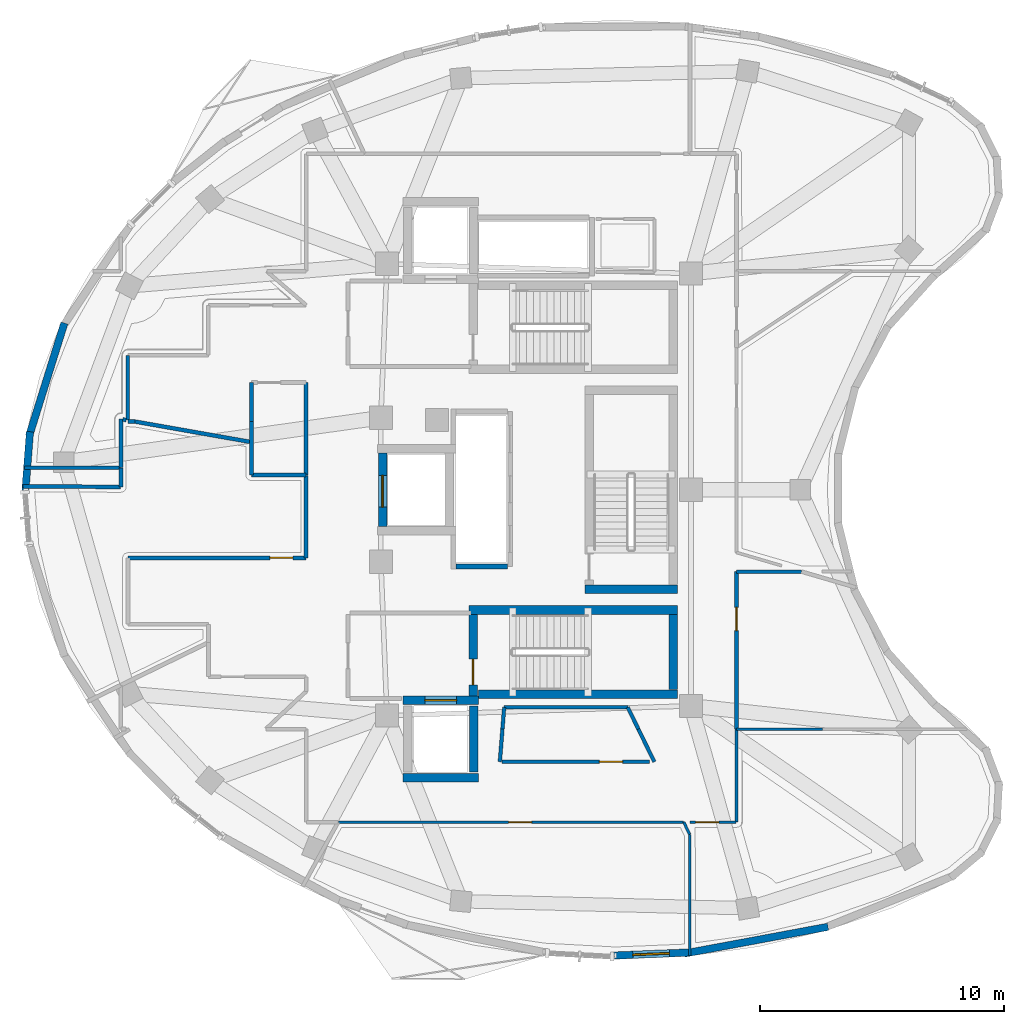
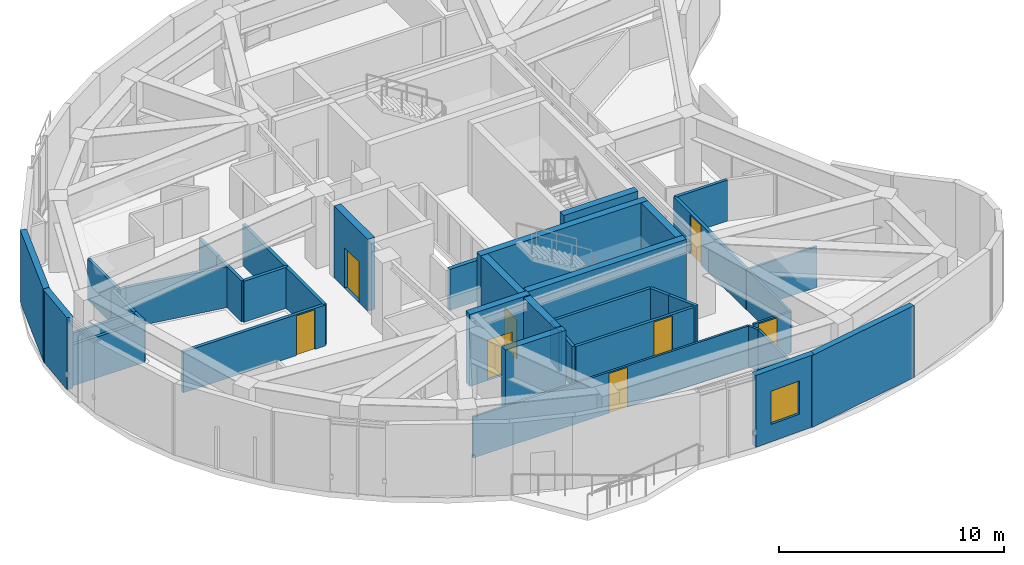
# One storey, part 6 of 12: 42 walls, 8 doors, 1 window, 9 openings.
"""IFC4 building model written with IfcOpenShell, lengths in metres."""

from ifc_helpers import new_model, si_unit, direction, frame, frame_2d, origin, place, context, subcontext, project, spatial, rectangle, extrude, material, layer, layer_set, type_object, element, fill, save


model = new_model("IFC4")

# Units and contexts
model_context = context("Model", 3, precision=1e-05, world=origin(), true_north=direction((0.0, 1.0)))
body_context = subcontext(model_context, "Body", "Model", "MODEL_VIEW")
ifc_project = project(units=[si_unit("LENGTHUNIT", "METRE"), si_unit("AREAUNIT", "SQUARE_METRE"), si_unit("VOLUMEUNIT", "CUBIC_METRE"), si_unit("PLANEANGLEUNIT", "RADIAN"), si_unit("MASSUNIT", "GRAM", prefix="KILO")], contexts=[model_context])

# Site, building, storey
site_placement = place(None, origin())
site = spatial("IfcSite", under=ifc_project, at=site_placement, CompositionType="ELEMENT")
building_placement = place(site_placement, origin())
building = spatial("IfcBuilding", under=site, at=building_placement, Name="Korentha Bioscience Tower", CompositionType="ELEMENT")
storey_placement = place(building_placement, frame((0.0, 0.0, 297.60009765625)))
storey = spatial("IfcBuildingStorey", under=building, at=storey_placement, Name="L68", CompositionType="ELEMENT", Elevation=297.60009765625)

# Wall, opening, door
ifc_material_1 = material(Name="Double-Stud Acoustic Gypsum", Category="gypsum")
ifc_layer_1 = layer(ifc_material_1, 0.14990234375, Name="Double-Stud Acoustic Gypsum")
ifc_layer_set_1 = layer_set([ifc_layer_1], Name="Double-Stud Acoustic Gypsum (IW-L150)")
wall_type_1 = type_object("IfcWallType", Name="Acoustic Laboratory Partition Wall 150", PredefinedType="PARTITIONING", material=ifc_layer_set_1)
wall_1_placement = place(storey_placement, frame((35.840087890625, 15.860107421875, 0.0), z_axis=(0.0, 0.0, 1.0), x_axis=(-1.0, 0.0, 0.0)))
wall_1 = element("IfcWall", 1, at=wall_1_placement, inside=storey, type_object=wall_type_1, Name="L68 Research Colloquium Seminar Room 04 Entrance Wall", PredefinedType="PARTITIONING", context=body_context, shape_type="SweptSolid", body=[
    extrude(rectangle(XDim=6.0400390625, YDim=0.14990234375, at=frame_2d((3.02001953125, 0.0))), origin(), (0.0, 0.0, 1.0), 2.219970703125),
])
opening_1_placement = place(wall_1_placement, frame((1.090087890625, 0.0, 0.0)))
opening_1 = element("IfcOpeningElement", 2, at=opening_1_placement, cuts=wall_1, Name="Opening ID-10R", PredefinedType="OPENING", context=body_context, shape_type="SweptSolid", body=[
    extrude(rectangle(XDim=0.949951171875, YDim=2.14990234375, at=frame_2d((0.47509765625, 1.074951171875))), frame((0.0, 0.08984375, 0.0), z_axis=(0.0, -1.0, 0.0), x_axis=(1.0, 0.0, 0.0)), (0.0, 0.0, 1.0), 0.1796875),
])
ifc_material_2 = material(Name="Phenolic Laminate Timber Core", Category="wood")
door_type_1 = type_object("IfcDoorType", Name="Laboratory Single Leaf Door 950x2150 Right", OperationType="SINGLE_SWING_RIGHT", PredefinedType="DOOR", material=ifc_material_2)
door_1_placement = place(opening_1_placement, origin())
door_1 = element("IfcDoor", 3, at=door_1_placement, inside=storey, type_object=door_type_1, Name="L68 Research Colloquium Seminar Room 04 Door", OperationType="SINGLE_SWING_RIGHT", OverallHeight=2.14990234375, OverallWidth=0.949951171875, PredefinedType="DOOR", context=body_context, shape_type="SweptSolid", body=[
    extrude(rectangle(XDim=0.949951171875, YDim=2.14990234375, at=frame_2d((0.47509765625, 1.074951171875))), frame((0.0, 0.02490234375, 0.0), z_axis=(0.0, -1.0, 0.0), x_axis=(1.0, 0.0, 0.0)), (0.0, 0.0, 1.0), 0.050048828125),
])
fill(opening_1, door_1)

wall_2_placement = place(storey_placement, frame((39.409912109375, 17.2080078125, 0.0), z_axis=(0.0, 0.0, 1.0), x_axis=(0.0, 1.0, 0.0)))
wall_2 = element("IfcWall", 4, at=wall_2_placement, inside=storey, type_object=wall_type_1, Name="L68 Bioinformatics Dry Workstation Studio 06 Entrance Wall", PredefinedType="PARTITIONING", context=body_context, shape_type="SweptSolid", body=[
    extrude(rectangle(XDim=6.43994140625, YDim=0.14990234375, at=frame_2d((3.219970703125, 0.0))), origin(), (0.0, 0.0, 1.0), 2.219970703125),
])
opening_2_placement = place(wall_2_placement, frame((4.02392578125, 0.0, 0.0)))
opening_2 = element("IfcOpeningElement", 5, at=opening_2_placement, cuts=wall_2, Name="Opening ID-10R", PredefinedType="OPENING", context=body_context, shape_type="SweptSolid", body=[
    extrude(rectangle(XDim=0.949951171875, YDim=2.14990234375, at=frame_2d((0.47509765625, 1.074951171875))), frame((0.0, 0.08984375, 0.0), z_axis=(0.0, -1.0, 0.0), x_axis=(1.0, 0.0, 0.0)), (0.0, 0.0, 1.0), 0.1796875),
])
door_2_placement = place(opening_2_placement, origin())
door_2 = element("IfcDoor", 6, at=door_2_placement, inside=storey, type_object=door_type_1, Name="L68 Bioinformatics Dry Workstation Studio 06 Door", OperationType="SINGLE_SWING_RIGHT", OverallHeight=2.14990234375, OverallWidth=0.949951171875, PredefinedType="DOOR", context=body_context, shape_type="SweptSolid", body=[
    extrude(rectangle(XDim=0.949951171875, YDim=2.14990234375, at=frame_2d((0.47509765625, 1.074951171875))), frame((0.0, 0.02490234375, 0.0), z_axis=(0.0, -1.0, 0.0), x_axis=(1.0, 0.0, 0.0)), (0.0, 0.0, 1.0), 0.050048828125),
])
fill(opening_2, door_2)

# Walls
wall_3_placement = place(storey_placement, frame((29.8291015625, 17.2021484375, 0.0), z_axis=(0.0, 0.0, 1.0), x_axis=(0.080300744985, 0.996770680927, 0.0)))
element("IfcWall", 7, at=wall_3_placement, inside=storey, type_object=wall_type_1, Name="L68 Interior Partition 044", PredefinedType="PARTITIONING", context=body_context, shape_type="SweptSolid", body=[
    extrude(rectangle(XDim=0.890869140625, YDim=0.14990234375, at=frame_2d((0.4453125, 0.0))), origin(), (0.0, 0.0, 1.0), 2.219970703125),
])
wall_4_placement = place(storey_placement, frame((29.900634765625, 18.090087890625, 0.0), z_axis=(0.0, 0.0, 1.0), x_axis=(1.0, 0.0, 0.0)))
element("IfcWall", 8, at=wall_4_placement, inside=storey, type_object=wall_type_1, Name="L68 Interior Partition 045", PredefinedType="PARTITIONING", context=body_context, shape_type="SweptSolid", body=[
    extrude(rectangle(XDim=5.058349609375, YDim=0.14990234375, at=frame_2d((2.529296875, 0.0))), origin(), (0.0, 0.0, 1.0), 2.219970703125),
])
wall_5_placement = place(storey_placement, frame((34.958984375, 18.090087890625, 0.0), z_axis=(0.0, 0.0, 1.0), x_axis=(0.438394418906, -0.898782695356, 0.0)))
element("IfcWall", 9, at=wall_5_placement, inside=storey, type_object=wall_type_1, Name="L68 Interior Partition 046", PredefinedType="PARTITIONING", context=body_context, shape_type="SweptSolid", body=[
    extrude(rectangle(XDim=0.988037109375, YDim=0.14990234375, at=frame_2d((0.494140625, 0.0))), origin(), (0.0, 0.0, 1.0), 2.219970703125),
])
wall_6_placement = place(storey_placement, frame((35.39404296875, 17.197998046875, 0.0), z_axis=(0.0, 0.0, 1.0), x_axis=(0.438401012414, -0.898779479247, 0.0)))
element("IfcWall", 10, at=wall_6_placement, inside=storey, type_object=wall_type_1, Name="L68 Interior Partition 047", PredefinedType="PARTITIONING", context=body_context, shape_type="SweptSolid", body=[
    extrude(rectangle(XDim=1.488525390625, YDim=0.14990234375, at=frame_2d((0.744140625, 0.0))), origin(), (0.0, 0.0, 1.0), 2.219970703125),
])
wall_7_placement = place(storey_placement, frame((29.72119140625, 15.860107421875, 0.0), z_axis=(0.0, 0.0, 1.0), x_axis=(0.080215129625, 0.996777574477, 0.0)))
element("IfcWall", 11, at=wall_7_placement, inside=storey, type_object=wall_type_1, Name="L68 Interior Partition 048", PredefinedType="PARTITIONING", context=body_context, shape_type="SweptSolid", body=[
    extrude(rectangle(XDim=1.34228515625, YDim=0.14990234375, at=frame_2d((0.671142578125, 0.0))), origin(), (0.0, 0.0, 1.0), 2.219970703125),
])
wall_8_placement = place(storey_placement, frame((39.409912109375, 23.64794921875, 0.0), z_axis=(0.0, 0.0, 1.0), x_axis=(1.0, 0.0, 0.0)))
element("IfcWall", 12, at=wall_8_placement, inside=storey, type_object=wall_type_1, Name="L68 Interior Partition 053", PredefinedType="PARTITIONING", context=body_context, shape_type="SweptSolid", body=[
    extrude(rectangle(XDim=2.661376953125, YDim=0.14990234375, at=frame_2d((1.33056640625, 0.0))), origin(), (0.0, 0.0, 1.0), 2.219970703125),
])
ifc_material_3 = material(Name="Insulated Aluminium Honeycomb Panel", Category="aluminium")
ifc_layer_2 = layer(ifc_material_3, 0.139892578125, Name="Insulated Aluminium Honeycomb Panel")
ifc_layer_set_2 = layer_set([ifc_layer_2], Name="Insulated Aluminium Honeycomb Panel (IW-F60)")
wall_type_2 = type_object("IfcWallType", Name="Cleanroom Flush Metal Panel Partition 140", PredefinedType="PARTITIONING", material=ifc_layer_set_2)
wall_9_placement = place(storey_placement, frame((14.489990234375, 32.5, 0.0), z_axis=(0.0, 0.0, 1.0), x_axis=(0.0, -1.0, 0.0)))
element("IfcWall", 13, at=wall_9_placement, inside=storey, type_object=wall_type_2, Name="L68 Interior Partition 070", PredefinedType="PARTITIONING", context=body_context, shape_type="SweptSolid", body=[
    extrude(rectangle(XDim=2.6484375, YDim=0.139892578125, at=frame_2d((1.32421875, 0.0))), origin(), (0.0, 0.0, 1.0), 2.219970703125),
])
wall_10_placement = place(storey_placement, frame((14.19189453125, 27.902099609375, 0.0), z_axis=(0.0, 0.0, 1.0), x_axis=(-1.0, 0.0, 0.0)))
element("IfcWall", 14, at=wall_10_placement, inside=storey, type_object=wall_type_2, Name="L68 Interior Partition 071", PredefinedType="PARTITIONING", context=body_context, shape_type="SweptSolid", body=[
    extrude(rectangle(XDim=3.94384765625, YDim=0.139892578125, at=frame_2d((1.971923828125, 0.0))), origin(), (0.0, 0.0, 1.0), 2.219970703125),
])

# Wall, opening, door
ifc_material_4 = material(Name="Fire-Rated Framed Glass", Category="glass")
ifc_layer_3 = layer(ifc_material_4, 0.110107421875, Name="Fire-Rated Framed Glass")
ifc_layer_set_3 = layer_set([ifc_layer_3], Name="Fire-Rated Framed Glass (IW-G110)")
wall_type_3 = type_object("IfcWallType", Name="Demountable Glazed Office Partition 110", PredefinedType="MOVABLE", material=ifc_layer_set_3)
wall_11_placement = place(storey_placement, frame((23.110107421875, 13.389892578125, 0.0), z_axis=(0.0, 0.0, 1.0), x_axis=(1.0, 0.0, 0.0)))
wall_11 = element("IfcWall", 15, at=wall_11_placement, inside=storey, type_object=wall_type_3, Name="L68 Principal Investigator Office 03 Entrance Wall", PredefinedType="MOVABLE", context=body_context, shape_type="SweptSolid", body=[
    extrude(rectangle(XDim=14.14111328125, YDim=0.110107421875, at=frame_2d((7.070556640625, 0.0))), origin(), (0.0, 0.0, 1.0), 2.219970703125),
])
opening_3_placement = place(wall_11_placement, frame((6.966552734375, 0.0, 0.0)))
opening_3 = element("IfcOpeningElement", 16, at=opening_3_placement, cuts=wall_11, Name="Opening ID-10L", PredefinedType="OPENING", context=body_context, shape_type="SweptSolid", body=[
    extrude(rectangle(XDim=0.949951171875, YDim=2.14990234375, at=frame_2d((0.47509765625, 1.074951171875))), frame((0.0, 0.06982421875, 0.0), z_axis=(0.0, -1.0, 0.0), x_axis=(1.0, 0.0, 0.0)), (0.0, 0.0, 1.0), 0.139892578125),
])
door_type_2 = type_object("IfcDoorType", Name="Laboratory Single Leaf Door 950x2150 Left", OperationType="SINGLE_SWING_LEFT", PredefinedType="DOOR", material=ifc_material_2)
door_3_placement = place(opening_3_placement, origin())
door_3 = element("IfcDoor", 17, at=door_3_placement, inside=storey, type_object=door_type_2, Name="L68 Principal Investigator Office 03 Door", OperationType="SINGLE_SWING_LEFT", OverallHeight=2.14990234375, OverallWidth=0.949951171875, PredefinedType="DOOR", context=body_context, shape_type="SweptSolid", body=[
    extrude(rectangle(XDim=0.949951171875, YDim=2.14990234375, at=frame_2d((0.47509765625, 1.074951171875))), frame((0.0, 0.02490234375, 0.0), z_axis=(0.0, -1.0, 0.0), x_axis=(1.0, 0.0, 0.0)), (0.0, 0.0, 1.0), 0.050048828125),
])
fill(opening_3, door_3)

wall_12_placement = place(storey_placement, frame((37.501953125, 13.389892578125, 0.0), z_axis=(0.0, 0.0, 1.0), x_axis=(1.0, 0.0, 0.0)))
wall_12 = element("IfcWall", 18, at=wall_12_placement, inside=storey, type_object=wall_type_3, Name="L68 Principal Investigator Office 05 Entrance Wall", PredefinedType="MOVABLE", context=body_context, shape_type="SweptSolid", body=[
    extrude(rectangle(XDim=1.89794921875, YDim=0.110107421875, at=frame_2d((0.948974609375, 0.0))), origin(), (0.0, 0.0, 1.0), 2.219970703125),
])
opening_4_placement = place(wall_12_placement, frame((0.239990234375, 0.0, 0.0)))
opening_4 = element("IfcOpeningElement", 19, at=opening_4_placement, cuts=wall_12, Name="Opening ID-10L", PredefinedType="OPENING", context=body_context, shape_type="SweptSolid", body=[
    extrude(rectangle(XDim=0.949951171875, YDim=2.14990234375, at=frame_2d((0.47509765625, 1.074951171875))), frame((0.0, 0.06982421875, 0.0), z_axis=(0.0, -1.0, 0.0), x_axis=(1.0, 0.0, 0.0)), (0.0, 0.0, 1.0), 0.139892578125),
])
door_4_placement = place(opening_4_placement, origin())
door_4 = element("IfcDoor", 20, at=door_4_placement, inside=storey, type_object=door_type_2, Name="L68 Principal Investigator Office 05 Door", OperationType="SINGLE_SWING_LEFT", OverallHeight=2.14990234375, OverallWidth=0.949951171875, PredefinedType="DOOR", context=body_context, shape_type="SweptSolid", body=[
    extrude(rectangle(XDim=0.949951171875, YDim=2.14990234375, at=frame_2d((0.47509765625, 1.074951171875))), frame((0.0, 0.02490234375, 0.0), z_axis=(0.0, -1.0, 0.0), x_axis=(1.0, 0.0, 0.0)), (0.0, 0.0, 1.0), 0.050048828125),
])
fill(opening_4, door_4)

# Walls
wall_13_placement = place(storey_placement, frame((37.498046875, 12.884033203125, 0.0), z_axis=(0.0, 0.0, 1.0), x_axis=(0.0, -1.0, 0.0)))
element("IfcWall", 21, at=wall_13_placement, inside=storey, type_object=wall_type_3, Name="L68 Interior Partition 042", PredefinedType="MOVABLE", context=body_context, shape_type="SweptSolid", body=[
    extrude(rectangle(XDim=4.959228515625, YDim=0.110107421875, at=frame_2d((2.4794921875, 0.0))), origin(), (0.0, 0.0, 1.0), 2.219970703125),
])
wall_14_placement = place(storey_placement, frame((37.251220703125, 13.389892578125, 0.0), z_axis=(0.0, 0.0, 1.0), x_axis=(0.43868863299, -0.898639128508, 0.0)))
element("IfcWall", 22, at=wall_14_placement, inside=storey, type_object=wall_type_3, Name="L68 Interior Partition 043", PredefinedType="MOVABLE", context=body_context, shape_type="SweptSolid", body=[
    extrude(rectangle(XDim=0.562744140625, YDim=0.110107421875, at=frame_2d((0.28125, 0.0))), origin(), (0.0, 0.0, 1.0), 2.219970703125),
])
wall_15_placement = place(storey_placement, frame((39.409912109375, 13.39990234375, 0.0), z_axis=(0.0, 0.0, 1.0), x_axis=(0.0, 1.0, 0.0)))
element("IfcWall", 23, at=wall_15_placement, inside=storey, type_object=wall_type_3, Name="L68 Interior Partition 049", PredefinedType="MOVABLE", context=body_context, shape_type="SweptSolid", body=[
    extrude(rectangle(XDim=3.798095703125, YDim=0.110107421875, at=frame_2d((1.89892578125, 0.0))), origin(), (0.0, 0.0, 1.0), 2.219970703125),
])
wall_16_placement = place(storey_placement, frame((39.409912109375, 17.197998046875, 0.0), z_axis=(0.0, 0.0, 1.0), x_axis=(1.0, 0.0, 0.0)))
element("IfcWall", 24, at=wall_16_placement, inside=storey, type_object=wall_type_3, Name="L68 Interior Partition 050", PredefinedType="MOVABLE", context=body_context, shape_type="SweptSolid", body=[
    extrude(rectangle(XDim=3.52490234375, YDim=0.110107421875, at=frame_2d((1.762451171875, 0.0))), origin(), (0.0, 0.0, 1.0), 2.219970703125),
])

# Wall, opening, door
ifc_material_5 = material(Name="Gypsum-Clad Steel Stud", Category="steel")
ifc_layer_4 = layer(ifc_material_5, 0.159912109375, Name="Gypsum-Clad Steel Stud")
ifc_layer_set_4 = layer_set([ifc_layer_4], Name="Gypsum-Clad Steel Stud (IW-C160)")
wall_type_4 = type_object("IfcWallType", Name="Fire-Rated Corridor Partition Wall 160", PredefinedType="PARTITIONING", material=ifc_layer_set_4)
wall_17_placement = place(storey_placement, frame((21.7900390625, 24.2099609375, 0.0), z_axis=(0.0, 0.0, 1.0), x_axis=(-1.0, 0.0, 0.0)))
wall_17 = element("IfcWall", 25, at=wall_17_placement, inside=storey, type_object=wall_type_4, Name="L68 Biospecimen Archive Store 01 Entrance Wall", PredefinedType="PARTITIONING", context=body_context, shape_type="SweptSolid", body=[
    extrude(rectangle(XDim=7.2900390625, YDim=0.159912109375, at=frame_2d((3.64501953125, 0.0))), origin(), (0.0, 0.0, 1.0), 2.219970703125),
])
opening_5_placement = place(wall_17_placement, frame((0.538330078125, 0.0, 0.0)))
opening_5 = element("IfcOpeningElement", 26, at=opening_5_placement, cuts=wall_17, Name="Opening ID-10L", PredefinedType="OPENING", context=body_context, shape_type="SweptSolid", body=[
    extrude(rectangle(XDim=0.949951171875, YDim=2.14990234375, at=frame_2d((0.47509765625, 1.074951171875))), frame((0.0, 0.0947265625, 0.0), z_axis=(0.0, -1.0, 0.0), x_axis=(1.0, 0.0, 0.0)), (0.0, 0.0, 1.0), 0.189697265625),
])
door_5_placement = place(opening_5_placement, origin())
door_5 = element("IfcDoor", 27, at=door_5_placement, inside=storey, type_object=door_type_2, Name="L68 Biospecimen Archive Store 01 Door", OperationType="SINGLE_SWING_LEFT", OverallHeight=2.14990234375, OverallWidth=0.949951171875, PredefinedType="DOOR", context=body_context, shape_type="SweptSolid", body=[
    extrude(rectangle(XDim=0.949951171875, YDim=2.14990234375, at=frame_2d((0.47509765625, 1.074951171875))), frame((0.0, 0.02490234375, 0.0), z_axis=(0.0, -1.0, 0.0), x_axis=(1.0, 0.0, 0.0)), (0.0, 0.0, 1.0), 0.050048828125),
])
fill(opening_5, door_5)

# Walls
wall_18_placement = place(storey_placement, frame((19.550048828125, 27.60009765625, 0.0), z_axis=(0.0, 0.0, 1.0), x_axis=(0.0, 1.0, 0.0)))
element("IfcWall", 28, at=wall_18_placement, inside=storey, type_object=wall_type_4, Name="L68 Interior Partition 016", PredefinedType="PARTITIONING", context=body_context, shape_type="SweptSolid", body=[
    extrude(rectangle(XDim=2.18994140625, YDim=0.159912109375, at=frame_2d((1.094970703125, 0.0))), origin(), (0.0, 0.0, 1.0), 2.219970703125),
])
wall_19_placement = place(storey_placement, frame((19.56005859375, 29.800048828125, 0.0), z_axis=(0.0, 0.0, 1.0), x_axis=(0.0, 1.0, 0.0)))
element("IfcWall", 29, at=wall_19_placement, inside=storey, type_object=wall_type_4, Name="L68 Interior Partition 017", PredefinedType="PARTITIONING", context=body_context, shape_type="SweptSolid", body=[
    extrude(rectangle(XDim=1.58984375, YDim=0.159912109375, at=frame_2d((0.794921875, 0.0))), origin(), (0.0, 0.0, 1.0), 2.219970703125),
])
wall_20_placement = place(storey_placement, frame((21.7900390625, 31.389892578125, 0.0), z_axis=(0.0, 0.0, 1.0), x_axis=(0.0, -1.0, 0.0)))
element("IfcWall", 30, at=wall_20_placement, inside=storey, type_object=wall_type_4, Name="L68 Interior Partition 018", PredefinedType="PARTITIONING", context=body_context, shape_type="SweptSolid", body=[
    extrude(rectangle(XDim=3.789794921875, YDim=0.159912109375, at=frame_2d((1.89501953125, 0.0))), origin(), (0.0, 0.0, 1.0), 2.219970703125),
])
wall_21_placement = place(storey_placement, frame((21.7900390625, 27.60009765625, 0.0), z_axis=(0.0, 0.0, 1.0), x_axis=(-1.0, 0.0, 0.0)))
element("IfcWall", 31, at=wall_21_placement, inside=storey, type_object=wall_type_4, Name="L68 Interior Partition 019", PredefinedType="PARTITIONING", context=body_context, shape_type="SweptSolid", body=[
    extrude(rectangle(XDim=2.239990234375, YDim=0.159912109375, at=frame_2d((1.1201171875, 0.0))), origin(), (0.0, 0.0, 1.0), 2.219970703125),
])
wall_22_placement = place(storey_placement, frame((10.189453125, 27.140625, 0.0), z_axis=(0.0, 0.0, 1.0), x_axis=(0.99997547233, -0.007003908845, 0.0)))
element("IfcWall", 32, at=wall_22_placement, inside=storey, type_object=wall_type_4, Name="L68 Interior Partition 020", PredefinedType="PARTITIONING", context=body_context, shape_type="SweptSolid", body=[
    extrude(rectangle(XDim=4.008544921875, YDim=0.159912109375, at=frame_2d((2.00439453125, 0.0))), origin(), (0.0, 0.0, 1.0), 2.219970703125),
])
wall_23_placement = place(storey_placement, frame((14.201904296875, 27.11669921875, 0.0), z_axis=(0.0, 0.0, 1.0), x_axis=(0.0, 1.0, 0.0)))
element("IfcWall", 33, at=wall_23_placement, inside=storey, type_object=wall_type_4, Name="L68 Interior Partition 021", PredefinedType="PARTITIONING", context=body_context, shape_type="SweptSolid", body=[
    extrude(rectangle(XDim=0.781005859375, YDim=0.159912109375, at=frame_2d((0.390625, 0.0))), origin(), (0.0, 0.0, 1.0), 2.219970703125),
])
wall_24_placement = place(storey_placement, frame((14.201904296875, 27.902099609375, 0.0), z_axis=(0.0, 0.0, 1.0), x_axis=(0.0, 1.0, 0.0)))
element("IfcWall", 34, at=wall_24_placement, inside=storey, type_object=wall_type_4, Name="L68 Interior Partition 022", PredefinedType="PARTITIONING", context=body_context, shape_type="SweptSolid", body=[
    extrude(rectangle(XDim=1.989990234375, YDim=0.159912109375, at=frame_2d((0.9951171875, 0.0))), origin(), (0.0, 0.0, 1.0), 2.219970703125),
])
wall_25_placement = place(storey_placement, frame((14.284912109375, 29.87744140625, 0.0), z_axis=(0.0, 0.0, 1.0), x_axis=(0.984929831621, -0.172954406662, 0.0)))
element("IfcWall", 35, at=wall_25_placement, inside=storey, type_object=wall_type_4, Name="L68 Interior Partition 023", PredefinedType="PARTITIONING", context=body_context, shape_type="SweptSolid", body=[
    extrude(rectangle(XDim=0.134033203125, YDim=0.159912109375, at=frame_2d((0.06689453125, 0.0))), origin(), (0.0, 0.0, 1.0), 2.219970703125),
])
wall_26_placement = place(storey_placement, frame((14.5, 29.7900390625, 0.0), z_axis=(0.0, 0.0, 1.0), x_axis=(1.0, 0.0, 0.0)))
element("IfcWall", 36, at=wall_26_placement, inside=storey, type_object=wall_type_4, Name="L68 Interior Partition 024", PredefinedType="PARTITIONING", context=body_context, shape_type="SweptSolid", body=[
    extrude(rectangle(XDim=0.281005859375, YDim=0.159912109375, at=frame_2d((0.140625, 0.0))), origin(), (0.0, 0.0, 1.0), 2.219970703125),
])
wall_27_placement = place(storey_placement, frame((14.781005859375, 29.7900390625, 0.0), z_axis=(0.0, 0.0, 1.0), x_axis=(0.984808978389, -0.173641228068, 0.0)))
element("IfcWall", 37, at=wall_27_placement, inside=storey, type_object=wall_type_4, Name="L68 Interior Partition 025", PredefinedType="PARTITIONING", context=body_context, shape_type="SweptSolid", body=[
    extrude(rectangle(XDim=4.83251953125, YDim=0.159912109375, at=frame_2d((2.416259765625, 0.0))), origin(), (0.0, 0.0, 1.0), 2.219970703125),
])
wall_28_placement = place(storey_placement, frame((21.7900390625, 27.590087890625, 0.0), z_axis=(0.0, 0.0, 1.0), x_axis=(0.0, -1.0, 0.0)))
element("IfcWall", 38, at=wall_28_placement, inside=storey, type_object=wall_type_4, Name="L68 Interior Partition 026", PredefinedType="PARTITIONING", context=body_context, shape_type="SweptSolid", body=[
    extrude(rectangle(XDim=3.380126953125, YDim=0.159912109375, at=frame_2d((1.68994140625, 0.0))), origin(), (0.0, 0.0, 1.0), 2.219970703125),
])

# Wall, opening, window
ifc_material_6 = material(Name="Honed Limestone Precast Concrete C40", Category="masonry")
ifc_layer_5 = layer(ifc_material_6, 0.300048828125, Name="Honed Limestone Precast Concrete C40")
ifc_layer_set_5 = layer_set([ifc_layer_5], Name="Honed Limestone Precast Concrete C40 (EW-ST300)")
wall_type_5 = type_object("IfcWallType", Name="Honed Limestone Cavity Spandrel Wall 300", PredefinedType="STANDARD", material=ifc_layer_set_5)
wall_29_placement = place(storey_placement, frame((34.3876953125, 7.924072265625, 0.0), z_axis=(0.0, 0.0, 1.0), x_axis=(0.999155735102, 0.041083050186, 0.0)))
wall_29 = element("IfcWall", 39, at=wall_29_placement, inside=storey, type_object=wall_type_5, Name="L68 Honed Limestone Spandrel Wall 32", PredefinedType="STANDARD", context=body_context, shape_type="SweptSolid", body=[
    extrude(rectangle(XDim=3.060546875, YDim=0.300048828125, at=frame_2d((1.5302734375, 0.0))), origin(), (0.0, 0.0, 1.0), 3.89990234375),
])
opening_6_placement = place(wall_29_placement, frame((0.7802734375, 0.0, 0.949951171875)))
opening_6 = element("IfcOpeningElement", 40, at=opening_6_placement, cuts=wall_29, Name="Opening WN-02", PredefinedType="OPENING", context=body_context, shape_type="SweptSolid", body=[
    extrude(rectangle(XDim=1.5, YDim=1.800048828125, at=frame_2d((0.75, 0.89990234375))), frame((0.0, 0.1650390625, 0.0), z_axis=(0.0, -1.0, 0.0), x_axis=(1.0, 0.0, 0.0)), (0.0, 0.0, 1.0), 0.329833984375),
])
ifc_material_7 = material(Name="Thermally Broken Aluminium Triple Glazing", Category="aluminium")
window_type = type_object("IfcWindowType", Name="Acoustic Operable Office Window 1500x1800", PartitioningType="DOUBLE_PANEL_VERTICAL", PredefinedType="WINDOW", material=ifc_material_7)
window_placement = place(opening_6_placement, origin())
window = element("IfcWindow", 41, at=window_placement, inside=storey, type_object=window_type, Name="L68 Facade Window 32", OverallHeight=1.800048828125, OverallWidth=1.5, PartitioningType="DOUBLE_PANEL_VERTICAL", PredefinedType="WINDOW", context=body_context, shape_type="SweptSolid", body=[
    extrude(rectangle(XDim=1.5, YDim=1.800048828125, at=frame_2d((0.75, 0.89990234375))), frame((0.0, 0.030029296875, 0.0), z_axis=(0.0, -1.0, 0.0), x_axis=(1.0, 0.0, 0.0)), (0.0, 0.0, 1.0), 0.06005859375),
])
fill(opening_6, window)

# Walls
wall_30_placement = place(storey_placement, frame((11.89111328125, 33.822998046875, 0.0), z_axis=(0.0, 0.0, 1.0), x_axis=(-0.297974306034, -0.954573890772, 0.0)))
element("IfcWall", 42, at=wall_30_placement, inside=storey, type_object=wall_type_5, Name="L68 Limestone Perimeter Closure Wall 16", PredefinedType="STANDARD", context=body_context, shape_type="SweptSolid", body=[
    extrude(rectangle(XDim=4.8544921875, YDim=0.300048828125, at=frame_2d((2.42724609375, 0.0))), origin(), (0.0, 0.0, 1.0), 3.89990234375),
])
wall_31_placement = place(storey_placement, frame((10.48046875, 29.376220703125, 0.0), z_axis=(0.0, 0.0, 1.0), x_axis=(-0.076379552952, -0.997078815285, 0.0)))
element("IfcWall", 43, at=wall_31_placement, inside=storey, type_object=wall_type_5, Name="L68 Limestone Perimeter Closure Wall 18", PredefinedType="STANDARD", context=body_context, shape_type="SweptSolid", body=[
    extrude(rectangle(XDim=2.47412109375, YDim=0.300048828125, at=frame_2d((1.237060546875, 0.0))), origin(), (0.0, 0.0, 1.0), 3.89990234375),
])
wall_32_placement = place(storey_placement, frame((37.2880859375, 8.010498046875, 0.0), z_axis=(0.0, 0.0, 1.0), x_axis=(0.983103205954, 0.183052141321, 0.0)))
element("IfcWall", 44, at=wall_32_placement, inside=storey, type_object=wall_type_5, Name="L68 Limestone Perimeter Closure Wall 33", PredefinedType="STANDARD", context=body_context, shape_type="SweptSolid", body=[
    extrude(rectangle(XDim=5.9736328125, YDim=0.300048828125, at=frame_2d((2.98681640625, 0.0))), origin(), (0.0, 0.0, 1.0), 3.89990234375),
])
ifc_material_8 = material(Name="Autoclaved Aerated Concrete Block C25", Category="concrete")
ifc_layer_6 = layer(ifc_material_8, 0.199951171875, Name="Autoclaved Aerated Concrete Block C25")
ifc_layer_set_6 = layer_set([ifc_layer_6], Name="Autoclaved Aerated Concrete Block C25 (IW-S200)")
wall_type_6 = type_object("IfcWallType", Name="Lift and Riser Shaft Enclosure Wall 200", PredefinedType="PARTITIONING", material=ifc_layer_set_6)
wall_33_placement = place(storey_placement, frame((27.93408203125, 23.85009765625, 0.0), z_axis=(0.0, 0.0, 1.0), x_axis=(1.0, 0.0, 0.0)))
element("IfcWall", 45, at=wall_33_placement, inside=storey, type_object=wall_type_6, Name="L68 Lift Bank HIGH Shaft Wall -Y", PredefinedType="PARTITIONING", context=body_context, shape_type="SweptSolid", body=[
    extrude(rectangle(XDim=2.095947265625, YDim=0.199951171875, at=frame_2d((1.0478515625, 0.0))), origin(), (0.0, 0.0, 1.0), 2.219970703125),
])
ifc_material_9 = material(Name="Concrete C50", Category="concrete")
ifc_layer_7 = layer(ifc_material_9, 0.35009765625, Name="Concrete C50")
ifc_layer_set_7 = layer_set([ifc_layer_7], Name="Concrete C50 (CW-C50)")
wall_type_7 = type_object("IfcWallType", Name="Upper Core Shear Wall 350", PredefinedType="SHEAR", material=ifc_layer_set_7)
wall_34_placement = place(storey_placement, frame((28.85205078125, 18.625, 0.0), z_axis=(0.0, 0.0, 1.0), x_axis=(1.0, 0.0, 0.0)))
element("IfcWall", 46, at=wall_34_placement, inside=storey, type_object=wall_type_7, Name="L68 Core Shear Wall ST2-S", PredefinedType="SHEAR", context=body_context, shape_type="SweptSolid", body=[
    extrude(rectangle(XDim=8.14794921875, YDim=0.35009765625, at=frame_2d((4.073974609375, 0.0))), origin(), (0.0, 0.0, 1.0), 3.89990234375),
])
wall_35_placement = place(storey_placement, frame((28.449951171875, 22.074951171875, 0.0), z_axis=(0.0, 0.0, 1.0), x_axis=(1.0, 0.0, 0.0)))
element("IfcWall", 47, at=wall_35_placement, inside=storey, type_object=wall_type_7, Name="L68 Core Shear Wall ST2-N", PredefinedType="SHEAR", context=body_context, shape_type="SweptSolid", body=[
    extrude(rectangle(XDim=8.550048828125, YDim=0.35009765625, at=frame_2d((4.27490234375, 0.0))), origin(), (0.0, 0.0, 1.0), 3.89990234375),
])
wall_36_placement = place(storey_placement, frame((36.824951171875, 18.81005859375, 0.0), z_axis=(0.0, 0.0, 1.0), x_axis=(0.0, 1.0, 0.0)))
element("IfcWall", 48, at=wall_36_placement, inside=storey, type_object=wall_type_7, Name="L68 Core Shear Wall ST2-E", PredefinedType="SHEAR", context=body_context, shape_type="SweptSolid", body=[
    extrude(rectangle(XDim=3.079833984375, YDim=0.35009765625, at=frame_2d((1.5400390625, 0.0))), origin(), (0.0, 0.0, 1.0), 3.89990234375),
])

# Wall, opening, door
wall_37_placement = place(storey_placement, frame((28.625, 18.556884765625, 0.0), z_axis=(0.0, 0.0, 1.0), x_axis=(0.0, 1.0, 0.0)))
wall_37 = element("IfcWall", 49, at=wall_37_placement, inside=storey, type_object=wall_type_7, Name="L68 Core Shear Wall ST2-W", PredefinedType="SHEAR", context=body_context, shape_type="SweptSolid", body=[
    extrude(rectangle(XDim=3.3330078125, YDim=0.35009765625, at=frame_2d((1.66650390625, 0.0))), origin(), (0.0, 0.0, 1.0), 3.89990234375),
])
opening_7_placement = place(wall_37_placement, frame((0.452880859375, 0.0, 0.0)))
opening_7 = element("IfcOpeningElement", 50, at=opening_7_placement, cuts=wall_37, Name="Opening FD-90L", PredefinedType="OPENING", context=body_context, shape_type="SweptSolid", body=[
    extrude(rectangle(XDim=1.050048828125, YDim=2.14990234375, at=frame_2d((0.52490234375, 1.074951171875))), frame((0.0, 0.18994140625, 0.0), z_axis=(0.0, -1.0, 0.0), x_axis=(1.0, 0.0, 0.0)), (0.0, 0.0, 1.0), 0.3798828125),
])
ifc_material_10 = material(Name="Powder-Coated Fire-Rated Steel", Category="steel")
door_type_3 = type_object("IfcDoorType", Name="Stairwell Fire Exit Door 1050x2150 Left", OperationType="SINGLE_SWING_LEFT", PredefinedType="DOOR", material=ifc_material_10)
door_6_placement = place(opening_7_placement, origin())
door_6 = element("IfcDoor", 51, at=door_6_placement, inside=storey, type_object=door_type_3, Name="L68 ST-2 Fire Exit Stair Door", OperationType="SINGLE_SWING_LEFT", OverallHeight=2.14990234375, OverallWidth=1.050048828125, PredefinedType="DOOR", context=body_context, shape_type="SweptSolid", body=[
    extrude(rectangle(XDim=1.050048828125, YDim=2.14990234375, at=frame_2d((0.52490234375, 1.074951171875))), frame((0.0, 0.02490234375, 0.0), z_axis=(0.0, -1.0, 0.0), x_axis=(1.0, 0.0, 0.0)), (0.0, 0.0, 1.0), 0.050048828125),
])
fill(opening_7, door_6)

# Walls
wall_38_placement = place(storey_placement, frame((33.199951171875, 22.925048828125, 0.0), z_axis=(0.0, 0.0, 1.0), x_axis=(1.0, 0.0, 0.0)))
element("IfcWall", 52, at=wall_38_placement, inside=storey, type_object=wall_type_7, Name="L68 Core Shear Wall ST3-S", PredefinedType="SHEAR", context=body_context, shape_type="SweptSolid", body=[
    extrude(rectangle(XDim=3.800048828125, YDim=0.35009765625, at=frame_2d((1.89990234375, 0.0))), origin(), (0.0, 0.0, 1.0), 3.89990234375),
])
wall_39_placement = place(storey_placement, frame((25.75, 15.199951171875, 0.0), z_axis=(0.0, 0.0, 1.0), x_axis=(1.0, 0.0, 0.0)))
element("IfcWall", 53, at=wall_39_placement, inside=storey, type_object=wall_type_7, Name="L68 Core Shear Wall FFL1-S", PredefinedType="SHEAR", context=body_context, shape_type="SweptSolid", body=[
    extrude(rectangle(XDim=3.10009765625, YDim=0.35009765625, at=frame_2d((1.550048828125, 0.0))), origin(), (0.0, 0.0, 1.0), 3.89990234375),
])

# Wall, opening, door
wall_40_placement = place(storey_placement, frame((25.75, 18.3798828125, 0.0), z_axis=(0.0, 0.0, 1.0), x_axis=(1.0, 0.0, 0.0)))
wall_40 = element("IfcWall", 54, at=wall_40_placement, inside=storey, type_object=wall_type_7, Name="L68 Core Shear Wall FFL1-N", PredefinedType="SHEAR", context=body_context, shape_type="SweptSolid", body=[
    extrude(rectangle(XDim=3.10009765625, YDim=0.35009765625, at=frame_2d((1.550048828125, 0.0))), origin(), (0.0, 0.0, 1.0), 3.89990234375),
])
opening_8_placement = place(wall_40_placement, frame((0.89990234375, 0.0, 0.0)))
opening_8 = element("IfcOpeningElement", 55, at=opening_8_placement, cuts=wall_40, Name="Opening LD-13", PredefinedType="OPENING", context=body_context, shape_type="SweptSolid", body=[
    extrude(rectangle(XDim=1.300048828125, YDim=2.199951171875, at=frame_2d((0.64990234375, 1.10009765625))), frame((0.0, 0.18994140625, 0.0), z_axis=(0.0, -1.0, 0.0), x_axis=(1.0, 0.0, 0.0)), (0.0, 0.0, 1.0), 0.3798828125),
])
ifc_material_11 = material(Name="Brushed Stainless Steel 316", Category="steel")
door_type_4 = type_object("IfcDoorType", Name="Service & Firefighting Lift Landing Door 1300x2300", OperationType="DOUBLE_DOOR_SLIDING", PredefinedType="DOOR", material=ifc_material_11)
door_7_placement = place(opening_8_placement, origin())
door_7 = element("IfcDoor", 56, at=door_7_placement, inside=storey, type_object=door_type_4, Name="L68 FFL-1 Sliding Lift Landing Door", OperationType="DOUBLE_DOOR_SLIDING", OverallHeight=2.199951171875, OverallWidth=1.300048828125, PredefinedType="DOOR", context=body_context, shape_type="SweptSolid", body=[
    extrude(rectangle(XDim=1.300048828125, YDim=2.199951171875, at=frame_2d((0.64990234375, 1.10009765625))), frame((0.0, 0.02490234375, 0.0), z_axis=(0.0, -1.0, 0.0), x_axis=(1.0, 0.0, 0.0)), (0.0, 0.0, 1.0), 0.050048828125),
])
fill(opening_8, door_7)

# Wall
wall_41_placement = place(storey_placement, frame((28.64990234375, 15.43994140625, 0.0), z_axis=(0.0, 0.0, 1.0), x_axis=(0.0, 1.0, 0.0)))
element("IfcWall", 57, at=wall_41_placement, inside=storey, type_object=wall_type_7, Name="L68 Core Shear Wall FFL1-E", PredefinedType="SHEAR", context=body_context, shape_type="SweptSolid", body=[
    extrude(rectangle(XDim=2.699951171875, YDim=0.35009765625, at=frame_2d((1.35009765625, 0.0))), origin(), (0.0, 0.0, 1.0), 3.89990234375),
])

# Wall, opening, door
wall_42_placement = place(storey_placement, frame((24.919921875, 25.4970703125, 0.0), z_axis=(0.0, 0.0, 1.0), x_axis=(0.0, 1.0, 0.0)))
wall_42 = element("IfcWall", 58, at=wall_42_placement, inside=storey, type_object=wall_type_7, Name="L68 Core Shear Wall SVL1-W", PredefinedType="SHEAR", context=body_context, shape_type="SweptSolid", body=[
    extrude(rectangle(XDim=3.005859375, YDim=0.35009765625, at=frame_2d((1.5029296875, 0.0))), origin(), (0.0, 0.0, 1.0), 3.89990234375),
])
opening_9_placement = place(wall_42_placement, frame((0.7900390625, 0.0, 0.0)))
opening_9 = element("IfcOpeningElement", 59, at=opening_9_placement, cuts=wall_42, Name="Opening LD-13", PredefinedType="OPENING", context=body_context, shape_type="SweptSolid", body=[
    extrude(rectangle(XDim=1.300048828125, YDim=2.199951171875, at=frame_2d((0.64990234375, 1.10009765625))), frame((0.0, 0.18994140625, 0.0), z_axis=(0.0, -1.0, 0.0), x_axis=(1.0, 0.0, 0.0)), (0.0, 0.0, 1.0), 0.3798828125),
])
door_8_placement = place(opening_9_placement, origin())
door_8 = element("IfcDoor", 60, at=door_8_placement, inside=storey, type_object=door_type_4, Name="L68 SVL-1 Sliding Lift Landing Door", OperationType="DOUBLE_DOOR_SLIDING", OverallHeight=2.199951171875, OverallWidth=1.300048828125, PredefinedType="DOOR", context=body_context, shape_type="SweptSolid", body=[
    extrude(rectangle(XDim=1.300048828125, YDim=2.199951171875, at=frame_2d((0.64990234375, 1.10009765625))), frame((0.0, 0.02490234375, 0.0), z_axis=(0.0, -1.0, 0.0), x_axis=(1.0, 0.0, 0.0)), (0.0, 0.0, 1.0), 0.050048828125),
])
fill(opening_9, door_8)

save(model, "model.ifc")
